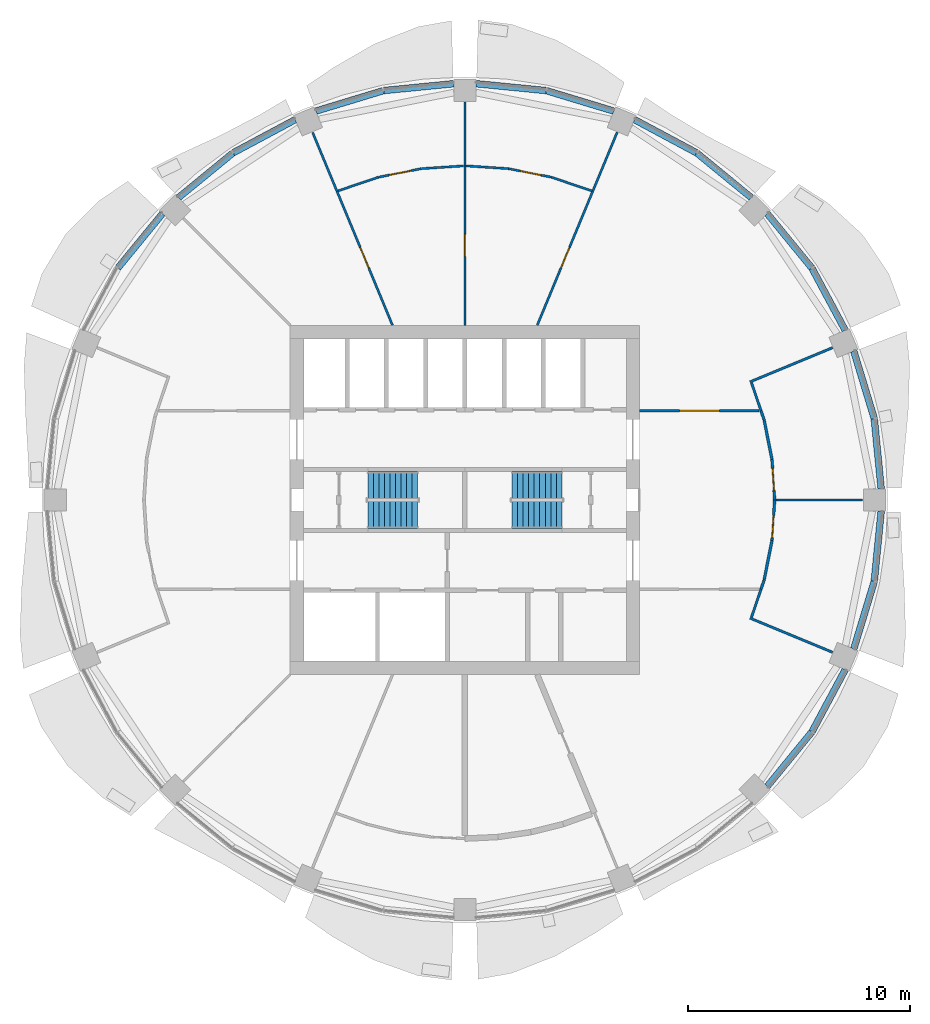
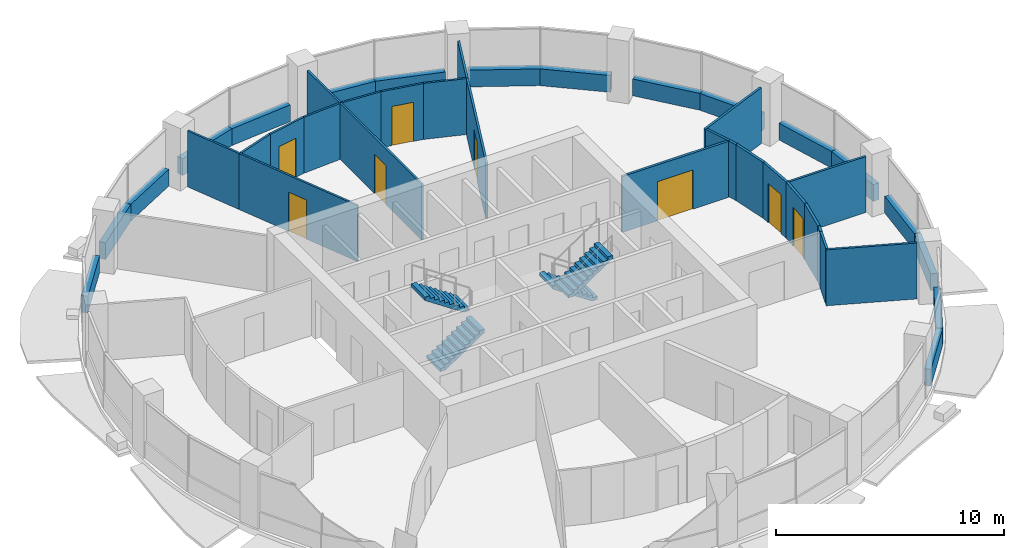
# One storey, part 10 of 15: 41 walls, 8 doors, 4 stair flights, 8 openings, 2 elements without a shape of their own.
"""IFC4 building model written with IfcOpenShell, lengths in metres."""

import ifcopenshell
import ifcopenshell.guid

model = None  # the IFC model being written
_history = None  # IfcOwnerHistory: only IFC2X3 demands one
_inside = {}  # id of a spatial element -> (the spatial element, [elements in it])
_under = {}  # id of a project, library or spatial element -> (it, [spatial elements below it])
_declared = {}  # id of a project -> (the project, [libraries it declares])
_typed = {}  # id of a type object -> (the type object, [elements of that type])
_made_of = {}  # id of a material, layer set ... -> (it, [elements and type objects made of it])


def new_model(schema):
    """Start an empty IFC model of exactly this schema.

    Asked for "IFC4X3", IfcOpenShell would pick the latest addendum, in which some entities
    have other attributes; the version numbers below select the first issue.
    IFC2X3 requires an IfcOwnerHistory on every rooted entity: one is made here for all.
    """
    global model, _history
    if schema == "IFC4X3":
        model = ifcopenshell.file(schema_version=(4, 3, 0, 0))
    else:
        model = ifcopenshell.file(schema=schema)
    _inside.clear()
    _under.clear()
    _declared.clear()
    _typed.clear()
    _made_of.clear()
    _history = None
    if model.schema == "IFC2X3":
        org = make("IfcOrganization", Name="unknown")
        user = make(
            "IfcPersonAndOrganization",
            ThePerson=make("IfcPerson", FamilyName="unknown"),
            TheOrganization=org,
        )
        app = make(
            "IfcApplication",
            ApplicationDeveloper=org,
            Version="unknown",
            ApplicationFullName="unknown",
            ApplicationIdentifier="unknown",
        )
        _history = make(
            "IfcOwnerHistory",
            OwningUser=user,
            OwningApplication=app,
            ChangeAction="ADDED",
            CreationDate=0,
        )
    return model


def make(cls, **values):
    """One entity of the class cls with the attributes given. An attribute that is None is left unset."""
    return model.create_entity(
        cls, **{name: value for name, value in values.items() if value is not None}
    )


def rooted(cls, **values):
    """An entity with a GlobalId (a new one), such as an element, a storey or a relation."""
    return make(cls, GlobalId=ifcopenshell.guid.new(), OwnerHistory=_history, **values)


def si_unit(unit_type, name, prefix=None):
    """IfcSIUnit, for example si_unit("LENGTHUNIT", "METRE", prefix="MILLI")."""
    return make("IfcSIUnit", UnitType=unit_type, Prefix=prefix, Name=name)


def assignment(units):
    """IfcUnitAssignment: the units of a project."""
    return None if units is None else make("IfcUnitAssignment", Units=units)


def point(xyz):
    """IfcCartesianPoint."""
    return None if xyz is None else make("IfcCartesianPoint", Coordinates=xyz)


def direction(xyz):
    """IfcDirection."""
    return None if xyz is None else make("IfcDirection", DirectionRatios=xyz)


def frame(location, z_axis=None, x_axis=None):
    """IfcAxis2Placement3D, a coordinate frame: its origin and axes. An axis left out is left unset."""
    return make(
        "IfcAxis2Placement3D",
        Location=point(location),
        Axis=direction(z_axis),
        RefDirection=direction(x_axis),
    )


def frame_2d(location, x_axis=None):
    """IfcAxis2Placement2D, a coordinate frame in the plane: its origin and x axis."""
    return make(
        "IfcAxis2Placement2D", Location=point(location), RefDirection=direction(x_axis)
    )


def origin():
    """The frame at (0, 0, 0) with its axes left unset."""
    return frame((0.0, 0.0, 0.0))


def place(relative_to, where):
    """IfcLocalPlacement: puts the frame where relative to a parent placement (None: the world)."""
    return make(
        "IfcLocalPlacement", PlacementRelTo=relative_to, RelativePlacement=where
    )


def context(
    kind, dimensions, precision=None, world=None, true_north=None, identifier=None
):
    """IfcGeometricRepresentationContext, for example the 3D "Model" context."""
    return make(
        "IfcGeometricRepresentationContext",
        ContextIdentifier=identifier,
        ContextType=kind,
        CoordinateSpaceDimension=dimensions,
        Precision=precision,
        WorldCoordinateSystem=world,
        TrueNorth=true_north,
    )


def subcontext(parent, identifier, kind, view, scale=None):
    """IfcGeometricRepresentationSubContext, for example "Body" below "Model"."""
    return make(
        "IfcGeometricRepresentationSubContext",
        ContextIdentifier=identifier,
        ContextType=kind,
        ParentContext=parent,
        TargetScale=scale,
        TargetView=view,
    )


def project(units=None, contexts=None):
    """IfcProject with its units and contexts."""
    return rooted(
        "IfcProject",
        Name="project",
        RepresentationContexts=contexts,
        UnitsInContext=assignment(units),
    )


def spatial(cls, under=None, at=None, **own):
    """A site, building, storey or space (cls), placed at a placement, below another one or the project."""
    s = rooted(cls, ObjectPlacement=at, **own)
    if under is not None:
        _under.setdefault(under.id(), (under, []))[1].append(s)
    return s


def polyline(points):
    """IfcPolyline through the points."""
    return make("IfcPolyline", Points=[point(p) for p in points])


def profile(cls, at=None, kind="AREA", **sizes):
    """A parametric profile (cls). Its sizes go by their IFC names, for example OverallWidth=200.0."""
    return make(cls, ProfileType=kind, Position=at, **sizes)


def rectangle(**sizes):
    """IfcRectangleProfileDef."""
    return profile("IfcRectangleProfileDef", **sizes)


def outline(outer, holes=None, kind="AREA"):
    """IfcArbitraryClosedProfileDef: a profile drawn as a closed curve; with holes, ...WithVoids."""
    if holes is None:
        return make("IfcArbitraryClosedProfileDef", ProfileType=kind, OuterCurve=outer)
    return make(
        "IfcArbitraryProfileDefWithVoids",
        ProfileType=kind,
        OuterCurve=outer,
        InnerCurves=holes,
    )


def extrude(swept, where, along, depth):
    """IfcExtrudedAreaSolid: the profile swept, set in the frame where, extruded along a direction by depth."""
    return make(
        "IfcExtrudedAreaSolid",
        SweptArea=swept,
        Position=where,
        ExtrudedDirection=direction(along),
        Depth=depth,
    )


def shape(context_of_items, identifier, shape_type, items):
    """IfcShapeRepresentation: the items that make up one representation, for example the "Body"."""
    return make(
        "IfcShapeRepresentation",
        ContextOfItems=context_of_items,
        RepresentationIdentifier=identifier,
        RepresentationType=shape_type,
        Items=items,
    )


def material(Name=None, Category=None):
    """IfcMaterial."""
    return make("IfcMaterial", Name=Name, Category=Category)


def layer(
    of_material, thickness, ventilated=None, Name=None, Category=None, Priority=None
):
    """IfcMaterialLayer: one layer of a wall or slab, of a material (None: an air gap)."""
    return make(
        "IfcMaterialLayer",
        Material=of_material,
        LayerThickness=thickness,
        IsVentilated=ventilated,
        Name=Name,
        Category=Category,
        Priority=Priority,
    )


def layer_set(layers, Name=None):
    """IfcMaterialLayerSet."""
    return make("IfcMaterialLayerSet", MaterialLayers=layers, LayerSetName=Name)


def made_of(thing, what):
    """Note that an element or type object is made of a material, layer set ...; save() writes the relation."""
    if what is not None:
        _made_of.setdefault(what.id(), (what, []))[1].append(thing)
    return thing


def type_object(cls, material=None, **own):
    """A type object (cls), such as IfcWallType, which elements share."""
    return made_of(rooted(cls, **own), material)


def element(
    cls,
    number,
    at=None,
    inside=None,
    cuts=None,
    type_object=None,
    material=None,
    context=None,
    identifier="Body",
    shape_type=None,
    held_by="IfcProductDefinitionShape",
    body=None,
    shapes=None,
    **own,
):
    """One element of the class cls, such as IfcWall. Its Tag is "e" and its number.

    at: its placement. inside: the storey or other place that contains it. cuts: it is an
    opening in that element (IfcRelVoidsElement). A single representation is given by context,
    identifier, shape_type and body (its items); several are given by shapes. held_by: the class
    of the entity that holds the representations. save() writes the other relations.
    """
    e = rooted(cls, Tag="e%d" % number, ObjectPlacement=at, **own)
    if body is not None:
        shapes = [shape(context, identifier, shape_type, body)]
    if shapes is not None:
        e.Representation = make(held_by, Representations=shapes)
    if inside is not None:
        _inside.setdefault(inside.id(), (inside, []))[1].append(e)
    if cuts is not None:
        rooted(
            "IfcRelVoidsElement", RelatingBuildingElement=cuts, RelatedOpeningElement=e
        )
    if type_object is not None:
        _typed.setdefault(type_object.id(), (type_object, []))[1].append(e)
    return made_of(e, material)


def fill(opening, filler):
    """IfcRelFillsElement: the door or window that sits in an opening."""
    return rooted(
        "IfcRelFillsElement",
        RelatingOpeningElement=opening,
        RelatedBuildingElement=filler,
    )


def aggregate(whole, parts):
    """IfcRelAggregates: a whole, such as a stair, and the parts it consists of."""
    return rooted("IfcRelAggregates", RelatingObject=whole, RelatedObjects=parts)


def save(model, path):
    """Write the relations noted so far, then the file.

    IfcRelAggregates (storeys below a building ...), IfcRelContainedInSpatialStructure (elements
    in a storey), IfcRelDefinesByType, IfcRelAssociatesMaterial and IfcRelDeclares: one each for
    every whole, place, type object, material and project.
    """
    for whole, parts in _under.values():
        aggregate(whole, parts)
    for where, things in _inside.values():
        rooted(
            "IfcRelContainedInSpatialStructure",
            RelatedElements=things,
            RelatingStructure=where,
        )
    for kind, things in _typed.values():
        rooted("IfcRelDefinesByType", RelatedObjects=things, RelatingType=kind)
    for what, things in _made_of.values():
        rooted("IfcRelAssociatesMaterial", RelatedObjects=things, RelatingMaterial=what)
    for by, libraries in _declared.values():
        rooted("IfcRelDeclares", RelatingContext=by, RelatedDefinitions=libraries)
    model.write(path)


model = new_model("IFC4")

# Units and contexts
model_context = context("Model", 3, precision=1e-05, world=origin(), true_north=direction((0.0, 1.0)))
body_context = subcontext(model_context, "Body", "Model", "MODEL_VIEW")
ifc_project = project(units=[si_unit("LENGTHUNIT", "METRE"), si_unit("AREAUNIT", "SQUARE_METRE"), si_unit("VOLUMEUNIT", "CUBIC_METRE"), si_unit("PLANEANGLEUNIT", "RADIAN"), si_unit("MASSUNIT", "GRAM", prefix="KILO")], contexts=[model_context])

# Site, building, storey
site_placement = place(None, origin())
site = spatial("IfcSite", under=ifc_project, at=site_placement, CompositionType="ELEMENT")
building_placement = place(site_placement, origin())
building = spatial("IfcBuilding", under=site, at=building_placement, Name="Polderwave Tower", CompositionType="ELEMENT")
storey_placement = place(building_placement, frame((0.0, 0.0, 120.949951171875)))
storey = spatial("IfcBuildingStorey", under=building, at=storey_placement, Name="L31", CompositionType="ELEMENT", Elevation=120.949951171875)

# Walls
ifc_material_1 = material(Name="Concrete C50/60 (board-marked)", Category="concrete")
ifc_layer_1 = layer(ifc_material_1, 0.300048828125)
ifc_layer_set_1 = layer_set([ifc_layer_1], Name="Concrete spandrel upstand C50/60")
wall_type_1 = type_object("IfcWallType", Name="Concrete spandrel upstand C50/60", PredefinedType="SOLIDWALL", material=ifc_layer_set_1)
wall_1_placement = place(storey_placement, frame((18.759521484375, 0.513916015625, 0.0), z_axis=(0.0, 0.0, 1.0), x_axis=(-0.097956108817, 0.995190735862, 0.0)))
element("IfcWall", 1, at=wall_1_placement, inside=storey, type_object=wall_type_1, Name="Spandrel L31 1a", PredefinedType="SOLIDWALL", context=body_context, shape_type="SweptSolid", body=[
    extrude(rectangle(XDim=3.1552734375, YDim=0.300048828125, at=frame_2d((1.57763671875, 0.0))), origin(), (0.0, 0.0, 1.0), 0.900146484375),
])
wall_2_placement = place(storey_placement, frame((18.444580078125, 3.683349609375, 0.0), z_axis=(0.0, 0.0, 1.0), x_axis=(-0.290503096001, 0.956874051907, 0.0)))
element("IfcWall", 2, at=wall_2_placement, inside=storey, type_object=wall_type_1, Name="Spandrel L31 1b", PredefinedType="SOLIDWALL", context=body_context, shape_type="SweptSolid", body=[
    extrude(rectangle(XDim=3.157470703125, YDim=0.300048828125, at=frame_2d((1.57861328125, 0.0))), origin(), (0.0, 0.0, 1.0), 0.900146484375),
])
wall_3_placement = place(storey_placement, frame((17.135009765625, 7.654296875, 0.0), z_axis=(0.0, 0.0, 1.0), x_axis=(-0.471527722113, 0.881851238747, 0.0)))
element("IfcWall", 3, at=wall_3_placement, inside=storey, type_object=wall_type_1, Name="Spandrel L31 2a", PredefinedType="SOLIDWALL", context=body_context, shape_type="SweptSolid", body=[
    extrude(rectangle(XDim=3.1552734375, YDim=0.300048828125, at=frame_2d((1.57763671875, 0.0))), origin(), (0.0, 0.0, 1.0), 0.900146484375),
])
for number, where, z_axis, x_axis, name in (
    (4, (15.630615234375, 10.461669921875, 0.0), (0.0, 0.0, 1.0), (-0.634239575548, 0.773136573193, 0.0), "Spandrel L31 2b"),
    (5, (12.90234375, 13.62841796875, 0.0), (0.0, 0.0, 1.0), (-0.773136573193, 0.634239575548, 0.0), "Spandrel L31 3a"),
):
    element("IfcWall", number, at=place(storey_placement, frame(where, z_axis=z_axis, x_axis=x_axis)), inside=storey, type_object=wall_type_1, Name=name, PredefinedType="SOLIDWALL", context=body_context, shape_type="SweptSolid", body=[
        extrude(rectangle(XDim=3.15673828125, YDim=0.300048828125, at=frame_2d((1.578369140625, 0.0))), origin(), (0.0, 0.0, 1.0), 0.900146484375),
    ])
wall_4_placement = place(storey_placement, frame((10.436767578125, 15.647216796875, 0.0), z_axis=(0.0, 0.0, 1.0), x_axis=(-0.881851238747, 0.471527722113, 0.0)))
element("IfcWall", 6, at=wall_4_placement, inside=storey, type_object=wall_type_1, Name="Spandrel L31 3b", PredefinedType="SOLIDWALL", context=body_context, shape_type="SweptSolid", body=[
    extrude(rectangle(XDim=3.1552734375, YDim=0.300048828125, at=frame_2d((1.57763671875, 0.0))), origin(), (0.0, 0.0, 1.0), 0.900146484375),
])
wall_5_placement = place(storey_placement, frame((6.70458984375, 17.52734375, 0.0), z_axis=(0.0, 0.0, 1.0), x_axis=(-0.956874051907, 0.290503096001, 0.0)))
element("IfcWall", 7, at=wall_5_placement, inside=storey, type_object=wall_type_1, Name="Spandrel L31 4a", PredefinedType="SOLIDWALL", context=body_context, shape_type="SweptSolid", body=[
    extrude(rectangle(XDim=3.157470703125, YDim=0.300048828125, at=frame_2d((1.57861328125, 0.0))), origin(), (0.0, 0.0, 1.0), 0.900146484375),
])
for number, where, z_axis, x_axis, name in (
    (8, (3.654052734375, 18.450439453125, 0.0), (0.0, 0.0, 1.0), (-0.995190735862, 0.097956108817, 0.0), "Spandrel L31 4b"),
    (9, (-0.513916015625, 18.759521484375, 0.0), (0.0, 0.0, 1.0), (-0.995190735862, -0.097956108817, 0.0), "Spandrel L31 5a"),
):
    element("IfcWall", number, at=place(storey_placement, frame(where, z_axis=z_axis, x_axis=x_axis)), inside=storey, type_object=wall_type_1, Name=name, PredefinedType="SOLIDWALL", context=body_context, shape_type="SweptSolid", body=[
        extrude(rectangle(XDim=3.1552734375, YDim=0.300048828125, at=frame_2d((1.57763671875, 0.0))), origin(), (0.0, 0.0, 1.0), 0.900146484375),
    ])
wall_6_placement = place(storey_placement, frame((-3.683349609375, 18.444580078125, 0.0), z_axis=(0.0, 0.0, 1.0), x_axis=(-0.956874051907, -0.290503096001, 0.0)))
element("IfcWall", 10, at=wall_6_placement, inside=storey, type_object=wall_type_1, Name="Spandrel L31 5b", PredefinedType="SOLIDWALL", context=body_context, shape_type="SweptSolid", body=[
    extrude(rectangle(XDim=3.157470703125, YDim=0.300048828125, at=frame_2d((1.57861328125, 0.0))), origin(), (0.0, 0.0, 1.0), 0.900146484375),
])
wall_7_placement = place(storey_placement, frame((-7.654296875, 17.135009765625, 0.0), z_axis=(0.0, 0.0, 1.0), x_axis=(-0.881851238747, -0.471527722113, 0.0)))
element("IfcWall", 11, at=wall_7_placement, inside=storey, type_object=wall_type_1, Name="Spandrel L31 6a", PredefinedType="SOLIDWALL", context=body_context, shape_type="SweptSolid", body=[
    extrude(rectangle(XDim=3.1552734375, YDim=0.300048828125, at=frame_2d((1.57763671875, 0.0))), origin(), (0.0, 0.0, 1.0), 0.900146484375),
])
for number, where, z_axis, x_axis, name in (
    (12, (-10.461669921875, 15.630615234375, 0.0), (0.0, 0.0, 1.0), (-0.773136573193, -0.634239575548, 0.0), "Spandrel L31 6b"),
    (13, (-13.62841796875, 12.90234375, 0.0), (0.0, 0.0, 1.0), (-0.634239575548, -0.773136573193, 0.0), "Spandrel L31 7a"),
    (14, (13.62841796875, -12.90234375, 0.0), (0.0, 0.0, 1.0), (0.634239575548, 0.773136573193, 0.0), "Spandrel L31 15a"),
):
    element("IfcWall", number, at=place(storey_placement, frame(where, z_axis=z_axis, x_axis=x_axis)), inside=storey, type_object=wall_type_1, Name=name, PredefinedType="SOLIDWALL", context=body_context, shape_type="SweptSolid", body=[
        extrude(rectangle(XDim=3.15673828125, YDim=0.300048828125, at=frame_2d((1.578369140625, 0.0))), origin(), (0.0, 0.0, 1.0), 0.900146484375),
    ])
wall_8_placement = place(storey_placement, frame((15.647216796875, -10.436767578125, 0.0), z_axis=(0.0, 0.0, 1.0), x_axis=(0.471527722113, 0.881851238747, 0.0)))
element("IfcWall", 15, at=wall_8_placement, inside=storey, type_object=wall_type_1, Name="Spandrel L31 15b", PredefinedType="SOLIDWALL", context=body_context, shape_type="SweptSolid", body=[
    extrude(rectangle(XDim=3.1552734375, YDim=0.300048828125, at=frame_2d((1.57763671875, 0.0))), origin(), (0.0, 0.0, 1.0), 0.900146484375),
])
wall_9_placement = place(storey_placement, frame((17.52734375, -6.70458984375, 0.0), z_axis=(0.0, 0.0, 1.0), x_axis=(0.290503096001, 0.956874051907, 0.0)))
element("IfcWall", 16, at=wall_9_placement, inside=storey, type_object=wall_type_1, Name="Spandrel L31 16a", PredefinedType="SOLIDWALL", context=body_context, shape_type="SweptSolid", body=[
    extrude(rectangle(XDim=3.157470703125, YDim=0.300048828125, at=frame_2d((1.57861328125, 0.0))), origin(), (0.0, 0.0, 1.0), 0.900146484375),
])
wall_10_placement = place(storey_placement, frame((18.450439453125, -3.654052734375, 0.0), z_axis=(0.0, 0.0, 1.0), x_axis=(0.097956108817, 0.995190735862, 0.0)))
element("IfcWall", 17, at=wall_10_placement, inside=storey, type_object=wall_type_1, Name="Spandrel L31 16b", PredefinedType="SOLIDWALL", context=body_context, shape_type="SweptSolid", body=[
    extrude(rectangle(XDim=3.1552734375, YDim=0.300048828125, at=frame_2d((1.57763671875, 0.0))), origin(), (0.0, 0.0, 1.0), 0.900146484375),
])
ifc_material_2 = material(Name="Fire-resisting board on steel studs", Category="steel")
ifc_layer_2 = layer(ifc_material_2, 0.125)
ifc_layer_set_2 = layer_set([ifc_layer_2], Name="Corridor wall 125 mm EI 60")
wall_type_2 = type_object("IfcWallType", Name="Corridor wall 125 mm EI 60", PredefinedType="PARTITIONING", material=ifc_layer_set_2)
wall_11_placement = place(storey_placement, frame((13.3447265625, 4.0244140625, 0.0), z_axis=(0.0, 0.0, 1.0), x_axis=(0.321160043658, -0.947024934391, 0.0)))
element("IfcWall", 18, at=wall_11_placement, inside=storey, type_object=wall_type_2, Name="IN-L31-W001", PredefinedType="PARTITIONING", context=body_context, shape_type="SweptSolid", body=[
    extrude(rectangle(XDim=0.43017578125, YDim=0.125, at=frame_2d((0.215087890625, 0.0))), origin(), (0.0, 0.0, 1.0), 3.0),
])
wall_12_placement = place(storey_placement, frame((13.485107421875, 3.609130859375, 0.0), z_axis=(0.0, 0.0, 1.0), x_axis=(0.195134630283, -0.980776465901, 0.0)))
element("IfcWall", 19, at=wall_12_placement, inside=storey, type_object=wall_type_2, Name="IN-L31-W002", PredefinedType="PARTITIONING", context=body_context, shape_type="SweptSolid", body=[
    extrude(rectangle(XDim=1.81787109375, YDim=0.125, at=frame_2d((0.908935546875, 0.0))), origin(), (0.0, 0.0, 1.0), 3.0),
])

# Wall, opening, door
wall_13_placement = place(storey_placement, frame((13.8408203125, 1.818115234375, 0.0), z_axis=(0.0, 0.0, 1.0), x_axis=(0.065389497851, -0.997859816593, 0.0)))
wall_13 = element("IfcWall", 20, at=wall_13_placement, inside=storey, type_object=wall_type_2, Name="IN-L31-W003", PredefinedType="PARTITIONING", context=body_context, shape_type="SweptSolid", body=[
    extrude(rectangle(XDim=1.822021484375, YDim=0.125, at=frame_2d((0.9111328125, 0.0))), origin(), (0.0, 0.0, 1.0), 3.0),
])
opening_1_placement = place(wall_13_placement, frame((0.39990234375, 0.0, 0.0)))
opening_1 = element("IfcOpeningElement", 21, at=opening_1_placement, cuts=wall_13, Name="Opening L31-D50", PredefinedType="OPENING", context=body_context, shape_type="SweptSolid", body=[
    extrude(rectangle(XDim=1.0, YDim=2.10009765625, at=frame_2d((0.5, 1.050048828125))), frame((0.0, 0.072509765625, 0.0), z_axis=(0.0, -1.0, 0.0), x_axis=(1.0, 0.0, 0.0)), (0.0, 0.0, 1.0), 0.14501953125),
])
ifc_material_3 = material(Name="Timber fire door leaf", Category="wood")
door_type_1 = type_object("IfcDoorType", Name="Fire door FD30S 1000 x 2100", OperationType="NOTDEFINED", PredefinedType="DOOR", material=ifc_material_3)
door_1_placement = place(opening_1_placement, origin())
door_1 = element("IfcDoor", 22, at=door_1_placement, inside=storey, type_object=door_type_1, Name="Door L31-D50", OperationType="SINGLE_SWING_LEFT", OverallHeight=2.10009765625, OverallWidth=1.0, PredefinedType="DOOR", context=body_context, shape_type="SweptSolid", body=[
    extrude(rectangle(XDim=1.0, YDim=2.10009765625, at=frame_2d((0.5, 1.050048828125))), frame((0.0, 0.02490234375, 0.0), z_axis=(0.0, -1.0, 0.0), x_axis=(1.0, 0.0, 0.0)), (0.0, 0.0, 1.0), 0.050048828125),
])
fill(opening_1, door_1)

wall_14_placement = place(storey_placement, frame((7.8740234375, 4.0244140625, 0.0), z_axis=(0.0, 0.0, 1.0), x_axis=(1.0, 0.0, 0.0)))
wall_14 = element("IfcWall", 23, at=wall_14_placement, inside=storey, type_object=wall_type_2, Name="IN-L31-W004", PredefinedType="PARTITIONING", context=body_context, shape_type="SweptSolid", body=[
    extrude(rectangle(XDim=5.383544921875, YDim=0.125, at=frame_2d((2.69189453125, 0.0))), origin(), (0.0, 0.0, 1.0), 3.0),
])
opening_2_placement = place(wall_14_placement, frame((1.800048828125, 0.0, 0.0)))
opening_2 = element("IfcOpeningElement", 24, at=opening_2_placement, cuts=wall_14, Name="Opening L31-D51", PredefinedType="OPENING", context=body_context, shape_type="SweptSolid", body=[
    extrude(rectangle(XDim=1.800048828125, YDim=2.10009765625, at=frame_2d((0.89990234375, 1.050048828125))), frame((0.0, 0.072509765625, 0.0), z_axis=(0.0, -1.0, 0.0), x_axis=(1.0, 0.0, 0.0)), (0.0, 0.0, 1.0), 0.14501953125),
])
ifc_material_4 = material(Name="Timber fire door leaves", Category="wood")
door_type_2 = type_object("IfcDoorType", Name="Double fire door FD30S 1800 x 2100", OperationType="NOTDEFINED", PredefinedType="DOOR", material=ifc_material_4)
door_2_placement = place(opening_2_placement, origin())
door_2 = element("IfcDoor", 25, at=door_2_placement, inside=storey, type_object=door_type_2, Name="Door L31-D51", OperationType="DOUBLE_DOOR_SINGLE_SWING", OverallHeight=2.10009765625, OverallWidth=1.800048828125, PredefinedType="DOOR", context=body_context, shape_type="SweptSolid", body=[
    extrude(rectangle(XDim=1.800048828125, YDim=2.10009765625, at=frame_2d((0.89990234375, 1.050048828125))), frame((0.0, 0.02490234375, 0.0), z_axis=(0.0, -1.0, 0.0), x_axis=(1.0, 0.0, 0.0)), (0.0, 0.0, 1.0), 0.050048828125),
])
fill(opening_2, door_2)

# Walls
wall_15_placement = place(storey_placement, frame((13.48291015625, -3.616943359375, 0.0), z_axis=(0.0, 0.0, 1.0), x_axis=(-0.321160043658, -0.947024934391, 0.0)))
element("IfcWall", 26, at=wall_15_placement, inside=storey, type_object=wall_type_2, Name="IN-L31-W006", PredefinedType="PARTITIONING", context=body_context, shape_type="SweptSolid", body=[
    extrude(rectangle(XDim=0.43017578125, YDim=0.125, at=frame_2d((0.215087890625, 0.0))), origin(), (0.0, 0.0, 1.0), 3.0),
])
wall_16_placement = place(storey_placement, frame((13.83984375, -1.826171875, 0.0), z_axis=(0.0, 0.0, 1.0), x_axis=(-0.195134630283, -0.980776465901, 0.0)))
element("IfcWall", 27, at=wall_16_placement, inside=storey, type_object=wall_type_2, Name="IN-L31-W007", PredefinedType="PARTITIONING", context=body_context, shape_type="SweptSolid", body=[
    extrude(rectangle(XDim=1.81787109375, YDim=0.125, at=frame_2d((0.908935546875, 0.0))), origin(), (0.0, 0.0, 1.0), 3.0),
])

# Wall, opening, door
wall_17_placement = place(storey_placement, frame((13.9599609375, 0.0, 0.0), z_axis=(0.0, 0.0, 1.0), x_axis=(-0.065389497851, -0.997859816593, 0.0)))
wall_17 = element("IfcWall", 28, at=wall_17_placement, inside=storey, type_object=wall_type_2, Name="IN-L31-W008", PredefinedType="PARTITIONING", context=body_context, shape_type="SweptSolid", body=[
    extrude(rectangle(XDim=1.822021484375, YDim=0.125, at=frame_2d((0.9111328125, 0.0))), origin(), (0.0, 0.0, 1.0), 3.0),
])
opening_3_placement = place(wall_17_placement, frame((0.699951171875, 0.0, 0.0)))
opening_3 = element("IfcOpeningElement", 29, at=opening_3_placement, cuts=wall_17, Name="Opening L31-D53", PredefinedType="OPENING", context=body_context, shape_type="SweptSolid", body=[
    extrude(rectangle(XDim=1.0, YDim=2.10009765625, at=frame_2d((0.5, 1.050048828125))), frame((0.0, 0.072509765625, 0.0), z_axis=(0.0, -1.0, 0.0), x_axis=(1.0, 0.0, 0.0)), (0.0, 0.0, 1.0), 0.14501953125),
])
door_3_placement = place(opening_3_placement, origin())
door_3 = element("IfcDoor", 30, at=door_3_placement, inside=storey, type_object=door_type_1, Name="Door L31-D53", OperationType="SINGLE_SWING_RIGHT", OverallHeight=2.10009765625, OverallWidth=1.0, PredefinedType="DOOR", context=body_context, shape_type="SweptSolid", body=[
    extrude(rectangle(XDim=1.0, YDim=2.10009765625, at=frame_2d((0.5, 1.050048828125))), frame((0.0, 0.02490234375, 0.0), z_axis=(0.0, -1.0, 0.0), x_axis=(1.0, 0.0, 0.0)), (0.0, 0.0, 1.0), 0.050048828125),
])
fill(opening_3, door_3)

ifc_material_5 = material(Name="Plasterboard on steel studs", Category="steel")
ifc_layer_3 = layer(ifc_material_5, 0.10009765625)
ifc_layer_set_3 = layer_set([ifc_layer_3], Name="Partition 100 mm plasterboard on steel studs")
wall_type_3 = type_object("IfcWallType", Name="Partition 100 mm plasterboard on steel studs", PredefinedType="PARTITIONING", material=ifc_layer_set_3)
wall_18_placement = place(storey_placement, frame((3.261474609375, 7.8740234375, 0.0), z_axis=(0.0, 0.0, 1.0), x_axis=(0.382689326263, 0.923877091157, 0.0)))
wall_18 = element("IfcWall", 31, at=wall_18_placement, inside=storey, type_object=wall_type_3, Name="IN-L31-W020", PredefinedType="PARTITIONING", context=body_context, shape_type="SweptSolid", body=[
    extrude(rectangle(XDim=6.537109375, YDim=0.10009765625, at=frame_2d((3.2685546875, 0.0))), origin(), (0.0, 0.0, 1.0), 3.0),
])
opening_4_placement = place(wall_18_placement, frame((2.800048828125, 0.0, 0.0)))
opening_4 = element("IfcOpeningElement", 32, at=opening_4_placement, cuts=wall_18, Name="Opening L31-D57", PredefinedType="OPENING", context=body_context, shape_type="SweptSolid", body=[
    extrude(rectangle(XDim=1.0, YDim=2.10009765625, at=frame_2d((0.5, 1.050048828125))), frame((0.0, 0.06005859375, 0.0), z_axis=(0.0, -1.0, 0.0), x_axis=(1.0, 0.0, 0.0)), (0.0, 0.0, 1.0), 0.1201171875),
])
ifc_material_6 = material(Name="Timber veneer door leaf", Category="wood")
door_type_3 = type_object("IfcDoorType", Name="Single door 1000 x 2100", OperationType="NOTDEFINED", PredefinedType="DOOR", material=ifc_material_6)
door_4_placement = place(opening_4_placement, origin())
door_4 = element("IfcDoor", 33, at=door_4_placement, inside=storey, type_object=door_type_3, Name="Door L31-D57", OperationType="SINGLE_SWING_RIGHT", OverallHeight=2.10009765625, OverallWidth=1.0, PredefinedType="DOOR", context=body_context, shape_type="SweptSolid", body=[
    extrude(rectangle(XDim=1.0, YDim=2.10009765625, at=frame_2d((0.5, 1.050048828125))), frame((0.0, 0.02490234375, 0.0), z_axis=(0.0, -1.0, 0.0), x_axis=(1.0, 0.0, 0.0)), (0.0, 0.0, 1.0), 0.050048828125),
])
fill(opening_4, door_4)

# Walls
wall_19_placement = place(storey_placement, frame((5.76318359375, 13.91357421875, 0.0), z_axis=(0.0, 0.0, 1.0), x_axis=(0.382699877515, 0.923872720536, 0.0)))
element("IfcWall", 34, at=wall_19_placement, inside=storey, type_object=wall_type_3, Name="IN-L31-W021", PredefinedType="PARTITIONING", context=body_context, shape_type="SweptSolid", body=[
    extrude(rectangle(XDim=2.8701171875, YDim=0.10009765625, at=frame_2d((1.43505859375, 0.0))), origin(), (0.0, 0.0, 1.0), 3.0),
])
wall_20_placement = place(storey_placement, frame((0.05322265625, 15.056396484375, 0.0), z_axis=(0.0, 0.0, 1.0), x_axis=(0.997863500095, -0.06533326241, 0.0)))
element("IfcWall", 35, at=wall_20_placement, inside=storey, type_object=wall_type_3, Name="IN-L31-W022", PredefinedType="PARTITIONING", context=body_context, shape_type="SweptSolid", body=[
    extrude(rectangle(XDim=1.913330078125, YDim=0.10009765625, at=frame_2d((0.95654296875, 0.0))), origin(), (0.0, 0.0, 1.0), 3.0),
])

# Wall, opening, door
wall_21_placement = place(storey_placement, frame((1.968994140625, 14.9306640625, 0.0), z_axis=(0.0, 0.0, 1.0), x_axis=(0.980757237699, -0.195231249295, 0.0)))
wall_21 = element("IfcWall", 36, at=wall_21_placement, inside=storey, type_object=wall_type_3, Name="IN-L31-W023", PredefinedType="PARTITIONING", context=body_context, shape_type="SweptSolid", body=[
    extrude(rectangle(XDim=1.96337890625, YDim=0.10009765625, at=frame_2d((0.981689453125, 0.0))), origin(), (0.0, 0.0, 1.0), 3.0),
])
opening_5_placement = place(wall_21_placement, frame((0.5, 0.0, 0.0)))
opening_5 = element("IfcOpeningElement", 37, at=opening_5_placement, cuts=wall_21, Name="Opening L31-D58", PredefinedType="OPENING", context=body_context, shape_type="SweptSolid", body=[
    extrude(rectangle(XDim=1.0, YDim=2.10009765625, at=frame_2d((0.5, 1.050048828125))), frame((0.0, 0.06005859375, 0.0), z_axis=(0.0, -1.0, 0.0), x_axis=(1.0, 0.0, 0.0)), (0.0, 0.0, 1.0), 0.1201171875),
])
door_5_placement = place(opening_5_placement, origin())
door_5 = element("IfcDoor", 38, at=door_5_placement, inside=storey, type_object=door_type_3, Name="Door L31-D58", OperationType="SINGLE_SWING_RIGHT", OverallHeight=2.10009765625, OverallWidth=1.0, PredefinedType="DOOR", context=body_context, shape_type="SweptSolid", body=[
    extrude(rectangle(XDim=1.0, YDim=2.10009765625, at=frame_2d((0.5, 1.050048828125))), frame((0.0, 0.02490234375, 0.0), z_axis=(0.0, -1.0, 0.0), x_axis=(1.0, 0.0, 0.0)), (0.0, 0.0, 1.0), 0.050048828125),
])
fill(opening_5, door_5)

# Wall
wall_22_placement = place(storey_placement, frame((3.90087890625, 14.545654296875, 0.0), z_axis=(0.0, 0.0, 1.0), x_axis=(0.946972460269, -0.321314735879, 0.0)))
element("IfcWall", 39, at=wall_22_placement, inside=storey, type_object=wall_type_3, Name="IN-L31-W024", PredefinedType="PARTITIONING", context=body_context, shape_type="SweptSolid", body=[
    extrude(rectangle(XDim=1.913330078125, YDim=0.10009765625, at=frame_2d((0.95654296875, 0.0))), origin(), (0.0, 0.0, 1.0), 3.0),
])

# Wall, opening, door
wall_23_placement = place(storey_placement, frame((0.0, 7.8740234375, 0.0), z_axis=(0.0, 0.0, 1.0), x_axis=(0.0, 1.0, 0.0)))
wall_23 = element("IfcWall", 40, at=wall_23_placement, inside=storey, type_object=wall_type_3, Name="IN-L31-W025", PredefinedType="PARTITIONING", context=body_context, shape_type="SweptSolid", body=[
    extrude(rectangle(XDim=7.18603515625, YDim=0.10009765625, at=frame_2d((3.593017578125, 0.0))), origin(), (0.0, 0.0, 1.0), 3.0),
])
opening_6_placement = place(wall_23_placement, frame((3.10009765625, 0.0, 0.0)))
opening_6 = element("IfcOpeningElement", 41, at=opening_6_placement, cuts=wall_23, Name="Opening L31-D59", PredefinedType="OPENING", context=body_context, shape_type="SweptSolid", body=[
    extrude(rectangle(XDim=1.0, YDim=2.10009765625, at=frame_2d((0.5, 1.050048828125))), frame((0.0, 0.06005859375, 0.0), z_axis=(0.0, -1.0, 0.0), x_axis=(1.0, 0.0, 0.0)), (0.0, 0.0, 1.0), 0.1201171875),
])
door_6_placement = place(opening_6_placement, origin())
door_6 = element("IfcDoor", 42, at=door_6_placement, inside=storey, type_object=door_type_3, Name="Door L31-D59", OperationType="SINGLE_SWING_RIGHT", OverallHeight=2.10009765625, OverallWidth=1.0, PredefinedType="DOOR", context=body_context, shape_type="SweptSolid", body=[
    extrude(rectangle(XDim=1.0, YDim=2.10009765625, at=frame_2d((0.5, 1.050048828125))), frame((0.0, 0.02490234375, 0.0), z_axis=(0.0, -1.0, 0.0), x_axis=(1.0, 0.0, 0.0)), (0.0, 0.0, 1.0), 0.050048828125),
])
fill(opening_6, door_6)

# Walls
wall_24_placement = place(storey_placement, frame((0.0, 15.06005859375, 0.0), z_axis=(0.0, 0.0, 1.0), x_axis=(0.0, 1.0, 0.0)))
element("IfcWall", 43, at=wall_24_placement, inside=storey, type_object=wall_type_3, Name="IN-L31-W026", PredefinedType="PARTITIONING", context=body_context, shape_type="SweptSolid", body=[
    extrude(rectangle(XDim=2.869873046875, YDim=0.10009765625, at=frame_2d((1.43505859375, 0.0))), origin(), (0.0, 0.0, 1.0), 3.0),
])
wall_25_placement = place(storey_placement, frame((-5.712646484375, 13.930908203125, 0.0), z_axis=(0.0, 0.0, 1.0), x_axis=(0.946972460269, 0.321314735879, 0.0)))
element("IfcWall", 44, at=wall_25_placement, inside=storey, type_object=wall_type_3, Name="IN-L31-W027", PredefinedType="PARTITIONING", context=body_context, shape_type="SweptSolid", body=[
    extrude(rectangle(XDim=1.913330078125, YDim=0.10009765625, at=frame_2d((0.95654296875, 0.0))), origin(), (0.0, 0.0, 1.0), 3.0),
])

# Wall, opening, door
wall_26_placement = place(storey_placement, frame((-3.89453125, 14.54736328125, 0.0), z_axis=(0.0, 0.0, 1.0), x_axis=(0.980757237699, 0.195231249295, 0.0)))
wall_26 = element("IfcWall", 45, at=wall_26_placement, inside=storey, type_object=wall_type_3, Name="IN-L31-W028", PredefinedType="PARTITIONING", context=body_context, shape_type="SweptSolid", body=[
    extrude(rectangle(XDim=1.96337890625, YDim=0.10009765625, at=frame_2d((0.981689453125, 0.0))), origin(), (0.0, 0.0, 1.0), 3.0),
])
opening_7_placement = place(wall_26_placement, frame((0.5, 0.0, 0.0)))
opening_7 = element("IfcOpeningElement", 46, at=opening_7_placement, cuts=wall_26, Name="Opening L31-D60", PredefinedType="OPENING", context=body_context, shape_type="SweptSolid", body=[
    extrude(rectangle(XDim=1.0, YDim=2.10009765625, at=frame_2d((0.5, 1.050048828125))), frame((0.0, 0.06005859375, 0.0), z_axis=(0.0, -1.0, 0.0), x_axis=(1.0, 0.0, 0.0)), (0.0, 0.0, 1.0), 0.1201171875),
])
door_7_placement = place(opening_7_placement, origin())
door_7 = element("IfcDoor", 47, at=door_7_placement, inside=storey, type_object=door_type_3, Name="Door L31-D60", OperationType="SINGLE_SWING_RIGHT", OverallHeight=2.10009765625, OverallWidth=1.0, PredefinedType="DOOR", context=body_context, shape_type="SweptSolid", body=[
    extrude(rectangle(XDim=1.0, YDim=2.10009765625, at=frame_2d((0.5, 1.050048828125))), frame((0.0, 0.02490234375, 0.0), z_axis=(0.0, -1.0, 0.0), x_axis=(1.0, 0.0, 0.0)), (0.0, 0.0, 1.0), 0.050048828125),
])
fill(opening_7, door_7)

# Wall
wall_27_placement = place(storey_placement, frame((-1.96240234375, 14.931396484375, 0.0), z_axis=(0.0, 0.0, 1.0), x_axis=(0.997863500095, 0.06533326241, 0.0)))
element("IfcWall", 48, at=wall_27_placement, inside=storey, type_object=wall_type_3, Name="IN-L31-W029", PredefinedType="PARTITIONING", context=body_context, shape_type="SweptSolid", body=[
    extrude(rectangle(XDim=1.913330078125, YDim=0.10009765625, at=frame_2d((0.95654296875, 0.0))), origin(), (0.0, 0.0, 1.0), 3.0),
])

# Wall, opening, door
wall_28_placement = place(storey_placement, frame((-3.261474609375, 7.8740234375, 0.0), z_axis=(0.0, 0.0, 1.0), x_axis=(-0.382689326263, 0.923877091157, 0.0)))
wall_28 = element("IfcWall", 49, at=wall_28_placement, inside=storey, type_object=wall_type_3, Name="IN-L31-W030", PredefinedType="PARTITIONING", context=body_context, shape_type="SweptSolid", body=[
    extrude(rectangle(XDim=6.537109375, YDim=0.10009765625, at=frame_2d((3.2685546875, 0.0))), origin(), (0.0, 0.0, 1.0), 3.0),
])
opening_8_placement = place(wall_28_placement, frame((2.800048828125, 0.0, 0.0)))
opening_8 = element("IfcOpeningElement", 50, at=opening_8_placement, cuts=wall_28, Name="Opening L31-D61", PredefinedType="OPENING", context=body_context, shape_type="SweptSolid", body=[
    extrude(rectangle(XDim=1.0, YDim=2.10009765625, at=frame_2d((0.5, 1.050048828125))), frame((0.0, 0.06005859375, 0.0), z_axis=(0.0, -1.0, 0.0), x_axis=(1.0, 0.0, 0.0)), (0.0, 0.0, 1.0), 0.1201171875),
])
door_8_placement = place(opening_8_placement, origin())
door_8 = element("IfcDoor", 51, at=door_8_placement, inside=storey, type_object=door_type_3, Name="Door L31-D61", OperationType="SINGLE_SWING_RIGHT", OverallHeight=2.10009765625, OverallWidth=1.0, PredefinedType="DOOR", context=body_context, shape_type="SweptSolid", body=[
    extrude(rectangle(XDim=1.0, YDim=2.10009765625, at=frame_2d((0.5, 1.050048828125))), frame((0.0, 0.02490234375, 0.0), z_axis=(0.0, -1.0, 0.0), x_axis=(1.0, 0.0, 0.0)), (0.0, 0.0, 1.0), 0.050048828125),
])
fill(opening_8, door_8)

# Walls
wall_29_placement = place(storey_placement, frame((-5.76318359375, 13.91357421875, 0.0), z_axis=(0.0, 0.0, 1.0), x_axis=(-0.382699877515, 0.923872720536, 0.0)))
element("IfcWall", 52, at=wall_29_placement, inside=storey, type_object=wall_type_3, Name="IN-L31-W031", PredefinedType="PARTITIONING", context=body_context, shape_type="SweptSolid", body=[
    extrude(rectangle(XDim=2.8701171875, YDim=0.10009765625, at=frame_2d((1.43505859375, 0.0))), origin(), (0.0, 0.0, 1.0), 3.0),
])
ifc_material_7 = material(Name="Acoustic double plasterboard on steel studs", Category="steel")
ifc_layer_4 = layer(ifc_material_7, 0.110107421875)
ifc_layer_set_4 = layer_set([ifc_layer_4], Name="Partition 110 mm acoustic double board")
wall_type_4 = type_object("IfcWallType", Name="Partition 110 mm acoustic double board", PredefinedType="PARTITIONING", material=ifc_layer_set_4)
wall_30_placement = place(storey_placement, frame((12.8466796875, 5.3212890625, 0.0), z_axis=(0.0, 0.0, 1.0), x_axis=(0.923877104161, 0.382689294869, 0.0)))
element("IfcWall", 53, at=wall_30_placement, inside=storey, type_object=wall_type_4, Name="IN-L31-W017", PredefinedType="PARTITIONING", context=body_context, shape_type="SweptSolid", body=[
    extrude(rectangle(XDim=4.02490234375, YDim=0.110107421875, at=frame_2d((2.012451171875, 0.0))), origin(), (0.0, 0.0, 1.0), 3.0),
])
wall_31_placement = place(storey_placement, frame((13.3447265625, 4.0244140625, 0.0), z_axis=(0.0, 0.0, 1.0), x_axis=(-0.32144299332, 0.946928931888, 0.0)))
element("IfcWall", 54, at=wall_31_placement, inside=storey, type_object=wall_type_4, Name="IN-L31-W018", PredefinedType="PARTITIONING", context=body_context, shape_type="SweptSolid", body=[
    extrude(rectangle(XDim=1.3330078125, YDim=0.110107421875, at=frame_2d((0.66650390625, 0.0))), origin(), (0.0, 0.0, 1.0), 3.0),
])
wall_32_placement = place(storey_placement, frame((17.929931640625, 0.0, 0.0), z_axis=(0.0, 0.0, 1.0), x_axis=(-1.0, 0.0, 0.0)))
element("IfcWall", 55, at=wall_32_placement, inside=storey, type_object=wall_type_4, Name="IN-L31-W019", PredefinedType="PARTITIONING", context=body_context, shape_type="SweptSolid", body=[
    extrude(rectangle(XDim=3.90380859375, YDim=0.110107421875, at=frame_2d((1.951904296875, 0.0))), origin(), (0.0, 0.0, 1.0), 3.0),
])
wall_33_placement = place(storey_placement, frame((12.8466796875, -5.3212890625, 0.0), z_axis=(0.0, 0.0, 1.0), x_axis=(0.923877104161, -0.382689294869, 0.0)))
element("IfcWall", 56, at=wall_33_placement, inside=storey, type_object=wall_type_4, Name="IN-L31-W051", PredefinedType="PARTITIONING", context=body_context, shape_type="SweptSolid", body=[
    extrude(rectangle(XDim=4.02490234375, YDim=0.110107421875, at=frame_2d((2.012451171875, 0.0))), origin(), (0.0, 0.0, 1.0), 3.0),
])
wall_34_placement = place(storey_placement, frame((13.3447265625, -4.0244140625, 0.0), z_axis=(0.0, 0.0, 1.0), x_axis=(-0.32144299332, -0.946928931888, 0.0)))
element("IfcWall", 57, at=wall_34_placement, inside=storey, type_object=wall_type_4, Name="IN-L31-W052", PredefinedType="PARTITIONING", context=body_context, shape_type="SweptSolid", body=[
    extrude(rectangle(XDim=1.3330078125, YDim=0.110107421875, at=frame_2d((0.66650390625, 0.0))), origin(), (0.0, 0.0, 1.0), 3.0),
])

# Stair, stair flights
ifc_material_8 = material(Name="Concrete C40/50", Category="concrete")
stair_type = type_object("IfcStairType", Name="Exit stair 1200 x 20 risers", PredefinedType="HALF_TURN_STAIR", material=ifc_material_8)
stair_1_placement = place(storey_placement, origin())
stair_1 = element("IfcStair", 58, at=stair_1_placement, inside=storey, type_object=stair_type, Name="L31 Exit stair A", PredefinedType="HALF_TURN_STAIR")
stair_flight_type = type_object("IfcStairFlightType", Name="Stair flight 1200", PredefinedType="STRAIGHT", material=ifc_material_8)
stair_flight_1_placement = place(storey_placement, frame((-4.3740234375, -0.675048828125, 0.0), z_axis=(0.0, 0.0, 1.0), x_axis=(1.0, 0.0, 0.0)))
stair_flight_1 = element("IfcStairFlight", 59, at=stair_flight_1_placement, type_object=stair_flight_type, Name="ST-A flight 1", NumberOfRisers=10, NumberOfTreads=9, PredefinedType="STRAIGHT", RiserHeight=0.1675, TreadLength=0.25, context=body_context, shape_type="SweptSolid", body=[
    extrude(outline(polyline([(0.0, 0.0), (0.0, 0.16748046875), (0.25, 0.16748046875), (0.25, 0.3349609375), (0.5, 0.3349609375), (0.5, 0.50244140625), (0.75, 0.50244140625), (0.75, 0.669921875), (1.0, 0.669921875), (1.0, 0.83740234375), (1.25, 0.83740234375), (1.25, 1.0048828125), (1.5, 1.0048828125), (1.5, 1.172607421875), (1.75, 1.172607421875), (1.75, 1.340087890625), (2.0, 1.340087890625), (2.0, 1.507568359375), (2.25, 1.507568359375), (2.25, 1.675048828125), (2.25, 1.3271484375), (0.269287109375, 0.0), (0.0, 0.0)])), frame((0.0, 0.60009765625, 0.0), z_axis=(0.0, -1.0, 0.0), x_axis=(1.0, 0.0, 0.0)), (0.0, 0.0, 1.0), 1.199951171875),
])
stair_flight_2_placement = place(storey_placement, frame((-2.1240234375, 0.675048828125, 1.675048828125), z_axis=(0.0, 0.0, 1.0), x_axis=(-1.0, 0.0, 0.0)))
stair_flight_2 = element("IfcStairFlight", 60, at=stair_flight_2_placement, type_object=stair_flight_type, Name="ST-A flight 2", NumberOfRisers=10, NumberOfTreads=9, PredefinedType="STRAIGHT", RiserHeight=0.1675, TreadLength=0.25, context=body_context, shape_type="SweptSolid", body=[
    extrude(outline(polyline([(0.0, 0.0), (0.0, 0.16748046875), (0.25, 0.16748046875), (0.25, 0.3349609375), (0.5, 0.3349609375), (0.5, 0.50244140625), (0.75, 0.50244140625), (0.75, 0.669921875), (1.0, 0.669921875), (1.0, 0.83740234375), (1.25, 0.83740234375), (1.25, 1.0048828125), (1.5, 1.0048828125), (1.5, 1.172607421875), (1.75, 1.172607421875), (1.75, 1.340087890625), (2.0, 1.340087890625), (2.0, 1.507568359375), (2.25, 1.507568359375), (2.25, 1.675048828125), (2.25, 1.3271484375), (0.269287109375, 0.0), (0.0, 0.0)])), frame((0.0, 0.60009765625, 0.0), z_axis=(0.0, -1.0, 0.0), x_axis=(1.0, 0.0, 0.0)), (0.0, 0.0, 1.0), 1.199951171875),
])
aggregate(stair_1, [stair_flight_1, stair_flight_2])

stair_2_placement = place(storey_placement, origin())
stair_2 = element("IfcStair", 61, at=stair_2_placement, inside=storey, type_object=stair_type, Name="L31 Exit stair B", PredefinedType="HALF_TURN_STAIR")
stair_flight_3_placement = place(storey_placement, frame((4.3740234375, 0.675048828125, 0.0), z_axis=(0.0, 0.0, 1.0), x_axis=(-1.0, 0.0, 0.0)))
stair_flight_3 = element("IfcStairFlight", 62, at=stair_flight_3_placement, type_object=stair_flight_type, Name="ST-B flight 1", NumberOfRisers=10, NumberOfTreads=9, PredefinedType="STRAIGHT", RiserHeight=0.1675, TreadLength=0.25, context=body_context, shape_type="SweptSolid", body=[
    extrude(outline(polyline([(0.0, 0.0), (0.0, 0.16748046875), (0.25, 0.16748046875), (0.25, 0.3349609375), (0.5, 0.3349609375), (0.5, 0.50244140625), (0.75, 0.50244140625), (0.75, 0.669921875), (1.0, 0.669921875), (1.0, 0.83740234375), (1.25, 0.83740234375), (1.25, 1.0048828125), (1.5, 1.0048828125), (1.5, 1.172607421875), (1.75, 1.172607421875), (1.75, 1.340087890625), (2.0, 1.340087890625), (2.0, 1.507568359375), (2.25, 1.507568359375), (2.25, 1.675048828125), (2.25, 1.3271484375), (0.269287109375, 0.0), (0.0, 0.0)])), frame((0.0, 0.60009765625, 0.0), z_axis=(0.0, -1.0, 0.0), x_axis=(1.0, 0.0, 0.0)), (0.0, 0.0, 1.0), 1.199951171875),
])
stair_flight_4_placement = place(storey_placement, frame((2.1240234375, -0.675048828125, 1.675048828125), z_axis=(0.0, 0.0, 1.0), x_axis=(1.0, 0.0, 0.0)))
stair_flight_4 = element("IfcStairFlight", 63, at=stair_flight_4_placement, type_object=stair_flight_type, Name="ST-B flight 2", NumberOfRisers=10, NumberOfTreads=9, PredefinedType="STRAIGHT", RiserHeight=0.1675, TreadLength=0.25, context=body_context, shape_type="SweptSolid", body=[
    extrude(outline(polyline([(0.0, 0.0), (0.0, 0.16748046875), (0.25, 0.16748046875), (0.25, 0.3349609375), (0.5, 0.3349609375), (0.5, 0.50244140625), (0.75, 0.50244140625), (0.75, 0.669921875), (1.0, 0.669921875), (1.0, 0.83740234375), (1.25, 0.83740234375), (1.25, 1.0048828125), (1.5, 1.0048828125), (1.5, 1.172607421875), (1.75, 1.172607421875), (1.75, 1.340087890625), (2.0, 1.340087890625), (2.0, 1.507568359375), (2.25, 1.507568359375), (2.25, 1.675048828125), (2.25, 1.3271484375), (0.269287109375, 0.0), (0.0, 0.0)])), frame((0.0, 0.60009765625, 0.0), z_axis=(0.0, -1.0, 0.0), x_axis=(1.0, 0.0, 0.0)), (0.0, 0.0, 1.0), 1.199951171875),
])
aggregate(stair_2, [stair_flight_3, stair_flight_4])

save(model, "model.ifc")
